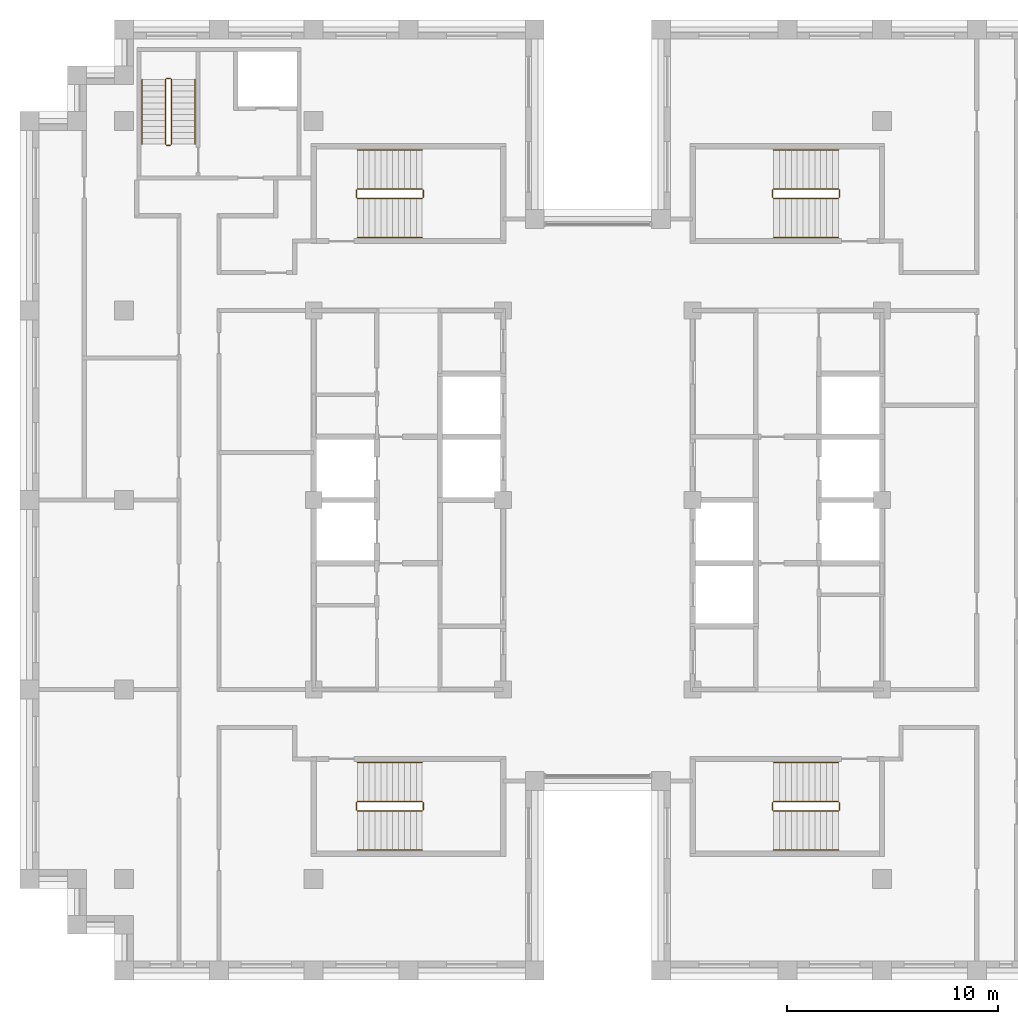
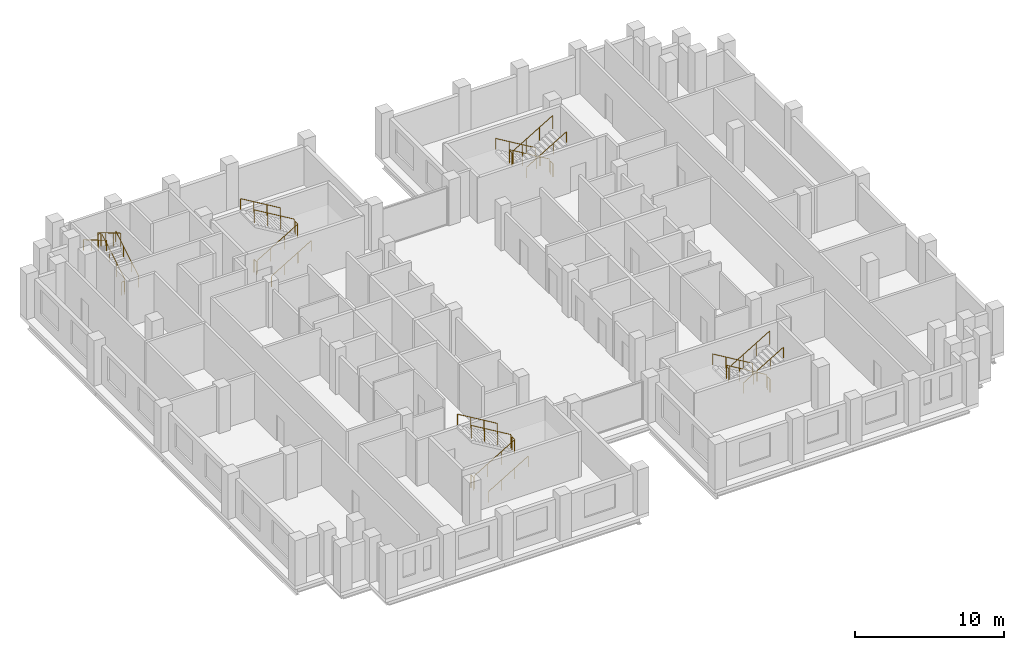
# One storey, part 13 of 13: 5 railings.
"""IFC4 building model written with IfcOpenShell, lengths in metres."""

from ifc_helpers import new_model, si_unit, direction, frame, origin, origin_2d, place, context, subcontext, project, spatial, circle, extrude, material, type_object, element, save


model = new_model("IFC4")

# Units and contexts
model_context = context("Model", 3, precision=1e-05, world=origin(), true_north=direction((0.0, 1.0)))
body_context = subcontext(model_context, "Body", "Model", "MODEL_VIEW")
ifc_project = project(units=[si_unit("LENGTHUNIT", "METRE"), si_unit("AREAUNIT", "SQUARE_METRE"), si_unit("VOLUMEUNIT", "CUBIC_METRE"), si_unit("PLANEANGLEUNIT", "RADIAN"), si_unit("MASSUNIT", "GRAM", prefix="KILO")], contexts=[model_context])

# Site, building, storey
site_placement = place(None, origin())
site = spatial("IfcSite", under=ifc_project, at=site_placement, CompositionType="ELEMENT")
building_placement = place(site_placement, origin())
building = spatial("IfcBuilding", under=site, at=building_placement, Name="Corbelhall Arena Tower", CompositionType="ELEMENT")
storey_placement = place(building_placement, frame((0.0, 0.0, 250.0)))
storey = spatial("IfcBuildingStorey", under=building, at=storey_placement, Name="L53", CompositionType="ELEMENT", Elevation=250.0)

# Railings
ifc_material = material(Name="Steel ASTM A500 Gr C", Category="steel")
railing_type = type_object("IfcRailingType", Name="IN-GD-1100", PredefinedType="GUARDRAIL", material=ifc_material)
railing_1_placement = place(storey_placement, frame((-11.425048828125, 14.324951171875, 0.166748046875)))
element("IfcRailing", 1, at=railing_1_placement, inside=storey, type_object=railing_type, Name="L53 ST1 stair guards and handrails", PredefinedType="GUARDRAIL", context=body_context, shape_type="SweptSolid", body=[
    extrude(circle(Radius=0.02392578125, at=origin_2d()), frame((0.0, 0.0, 1.076171875), z_axis=(0.859308565015, 0.0, 0.511457515432), x_axis=(0.0, 1.0, 0.0)), (0.0, 0.0, 1.0), 3.58447265625),
    extrude(circle(Radius=0.02392578125, at=origin_2d()), frame((3.130126953125, 0.050048828125, 2.9091796875), z_axis=(0.0, 1.0, 0.0), x_axis=(-1.0, 0.0, 0.0)), (0.0, 0.0, 1.0), 0.35009765625),
    extrude(circle(Radius=0.02392578125, at=origin_2d()), frame((3.080078125, 0.449951171875, 3.076171875), z_axis=(-0.859308565015, 0.0, 0.511457515432), x_axis=(0.0, -1.0, 0.0)), (0.0, 0.0, 1.0), 3.58447265625),
    extrude(circle(Radius=0.02392578125, at=origin_2d()), frame((-0.050048828125, 0.050048828125, 0.9091796875), z_axis=(0.0, 1.0, 0.0), x_axis=(-1.0, 0.0, 0.0)), (0.0, 0.0, 1.0), 0.35009765625),
    extrude(circle(Radius=0.02392578125, at=origin_2d()), frame((0.0, -1.849853515625, 0.8759765625), z_axis=(0.859308565015, 0.0, 0.511457515432), x_axis=(0.0, 1.0, 0.0)), (0.0, 0.0, 1.0), 3.58447265625),
    extrude(circle(Radius=0.02392578125, at=origin_2d()), frame((3.080078125, 2.300048828125, 2.8759765625), z_axis=(-0.859308565015, 0.0, 0.511457515432), x_axis=(0.0, -1.0, 0.0)), (0.0, 0.0, 1.0), 3.58447265625),
    extrude(circle(Radius=0.02099609375, at=origin_2d()), origin(), (0.0, 0.0, 1.0), 1.052001953125),
    extrude(circle(Radius=0.02099609375, at=origin_2d()), frame((1.026611328125, 0.0, 0.611083984375)), (0.0, 0.0, 1.0), 1.052001953125),
    extrude(circle(Radius=0.02099609375, at=origin_2d()), frame((2.053466796875, 0.0, 1.22216796875)), (0.0, 0.0, 1.0), 1.052001953125),
    extrude(circle(Radius=0.02099609375, at=origin_2d()), frame((3.080078125, 0.0, 1.833251953125)), (0.0, 0.0, 1.0), 1.052001953125),
    extrude(circle(Radius=0.02099609375, at=origin_2d()), frame((3.130126953125, 0.050048828125, 1.833251953125)), (0.0, 0.0, 1.0), 1.052001953125),
    extrude(circle(Radius=0.02099609375, at=origin_2d()), frame((3.130126953125, 0.400146484375, 1.833251953125)), (0.0, 0.0, 1.0), 1.052001953125),
    extrude(circle(Radius=0.02099609375, at=origin_2d()), frame((3.080078125, 0.449951171875, 2.0)), (0.0, 0.0, 1.0), 1.052001953125),
    extrude(circle(Radius=0.02099609375, at=origin_2d()), frame((2.053466796875, 0.449951171875, 2.611083984375)), (0.0, 0.0, 1.0), 1.052001953125),
    extrude(circle(Radius=0.02099609375, at=origin_2d()), frame((1.026611328125, 0.449951171875, 3.22216796875)), (0.0, 0.0, 1.0), 1.052001953125),
    extrude(circle(Radius=0.02099609375, at=origin_2d()), frame((0.0, 0.449951171875, 3.833251953125)), (0.0, 0.0, 1.0), 1.052001953125),
    extrude(circle(Radius=0.02099609375, at=origin_2d()), frame((-0.050048828125, 0.050048828125, -0.166748046875)), (0.0, 0.0, 1.0), 1.052001953125),
    extrude(circle(Radius=0.02099609375, at=origin_2d()), frame((-0.050048828125, 0.400146484375, -0.166748046875)), (0.0, 0.0, 1.0), 1.052001953125),
    extrude(circle(Radius=0.02099609375, at=origin_2d()), frame((0.0, -1.849853515625, 0.0)), (0.0, 0.0, 1.0), 0.851806640625),
    extrude(circle(Radius=0.02099609375, at=origin_2d()), frame((1.026611328125, -1.849853515625, 0.611083984375)), (0.0, 0.0, 1.0), 0.851806640625),
    extrude(circle(Radius=0.02099609375, at=origin_2d()), frame((2.053466796875, -1.849853515625, 1.22216796875)), (0.0, 0.0, 1.0), 0.851806640625),
    extrude(circle(Radius=0.02099609375, at=origin_2d()), frame((3.080078125, -1.849853515625, 1.833251953125)), (0.0, 0.0, 1.0), 0.851806640625),
    extrude(circle(Radius=0.02099609375, at=origin_2d()), frame((3.080078125, 2.300048828125, 2.0)), (0.0, 0.0, 1.0), 0.851806640625),
    extrude(circle(Radius=0.02099609375, at=origin_2d()), frame((2.053466796875, 2.300048828125, 2.611083984375)), (0.0, 0.0, 1.0), 0.851806640625),
    extrude(circle(Radius=0.02099609375, at=origin_2d()), frame((1.026611328125, 2.300048828125, 3.22216796875)), (0.0, 0.0, 1.0), 0.851806640625),
    extrude(circle(Radius=0.02099609375, at=origin_2d()), frame((0.0, 2.300048828125, 3.833251953125)), (0.0, 0.0, 1.0), 0.851806640625),
])
railing_2_placement = place(storey_placement, frame((-11.425048828125, -14.77490234375, 0.166748046875)))
element("IfcRailing", 2, at=railing_2_placement, inside=storey, type_object=railing_type, Name="L53 ST2 stair guards and handrails", PredefinedType="GUARDRAIL", context=body_context, shape_type="SweptSolid", body=[
    extrude(circle(Radius=0.02392578125, at=origin_2d()), frame((0.0, 0.0, 1.076171875), z_axis=(0.859308565015, 0.0, 0.511457515432), x_axis=(0.0, 1.0, 0.0)), (0.0, 0.0, 1.0), 3.58447265625),
    extrude(circle(Radius=0.02392578125, at=origin_2d()), frame((3.130126953125, 0.0498046875, 2.9091796875), z_axis=(0.0, 1.0, 0.0), x_axis=(-1.0, 0.0, 0.0)), (0.0, 0.0, 1.0), 0.35009765625),
    extrude(circle(Radius=0.02392578125, at=origin_2d()), frame((3.080078125, 0.449951171875, 3.076171875), z_axis=(-0.859308565015, 0.0, 0.511457515432), x_axis=(0.0, -1.0, 0.0)), (0.0, 0.0, 1.0), 3.58447265625),
    extrude(circle(Radius=0.02392578125, at=origin_2d()), frame((-0.050048828125, 0.0498046875, 0.9091796875), z_axis=(0.0, 1.0, 0.0), x_axis=(-1.0, 0.0, 0.0)), (0.0, 0.0, 1.0), 0.35009765625),
    extrude(circle(Radius=0.02392578125, at=origin_2d()), frame((0.0, -1.85009765625, 0.8759765625), z_axis=(0.859308565015, 0.0, 0.511457515432), x_axis=(0.0, 1.0, 0.0)), (0.0, 0.0, 1.0), 3.58447265625),
    extrude(circle(Radius=0.02392578125, at=origin_2d()), frame((3.080078125, 2.2998046875, 2.8759765625), z_axis=(-0.859308565015, 0.0, 0.511457515432), x_axis=(0.0, -1.0, 0.0)), (0.0, 0.0, 1.0), 3.58447265625),
    extrude(circle(Radius=0.02099609375, at=origin_2d()), origin(), (0.0, 0.0, 1.0), 1.052001953125),
    extrude(circle(Radius=0.02099609375, at=origin_2d()), frame((1.026611328125, 0.0, 0.611083984375)), (0.0, 0.0, 1.0), 1.052001953125),
    extrude(circle(Radius=0.02099609375, at=origin_2d()), frame((2.053466796875, 0.0, 1.22216796875)), (0.0, 0.0, 1.0), 1.052001953125),
    extrude(circle(Radius=0.02099609375, at=origin_2d()), frame((3.080078125, 0.0, 1.833251953125)), (0.0, 0.0, 1.0), 1.052001953125),
    extrude(circle(Radius=0.02099609375, at=origin_2d()), frame((3.130126953125, 0.0498046875, 1.833251953125)), (0.0, 0.0, 1.0), 1.052001953125),
    extrude(circle(Radius=0.02099609375, at=origin_2d()), frame((3.130126953125, 0.39990234375, 1.833251953125)), (0.0, 0.0, 1.0), 1.052001953125),
    extrude(circle(Radius=0.02099609375, at=origin_2d()), frame((3.080078125, 0.449951171875, 2.0)), (0.0, 0.0, 1.0), 1.052001953125),
    extrude(circle(Radius=0.02099609375, at=origin_2d()), frame((2.053466796875, 0.449951171875, 2.611083984375)), (0.0, 0.0, 1.0), 1.052001953125),
    extrude(circle(Radius=0.02099609375, at=origin_2d()), frame((1.026611328125, 0.449951171875, 3.22216796875)), (0.0, 0.0, 1.0), 1.052001953125),
    extrude(circle(Radius=0.02099609375, at=origin_2d()), frame((0.0, 0.449951171875, 3.833251953125)), (0.0, 0.0, 1.0), 1.052001953125),
    extrude(circle(Radius=0.02099609375, at=origin_2d()), frame((-0.050048828125, 0.0498046875, -0.166748046875)), (0.0, 0.0, 1.0), 1.052001953125),
    extrude(circle(Radius=0.02099609375, at=origin_2d()), frame((-0.050048828125, 0.39990234375, -0.166748046875)), (0.0, 0.0, 1.0), 1.052001953125),
    extrude(circle(Radius=0.02099609375, at=origin_2d()), frame((0.0, -1.85009765625, 0.0)), (0.0, 0.0, 1.0), 0.851806640625),
    extrude(circle(Radius=0.02099609375, at=origin_2d()), frame((1.026611328125, -1.85009765625, 0.611083984375)), (0.0, 0.0, 1.0), 0.851806640625),
    extrude(circle(Radius=0.02099609375, at=origin_2d()), frame((2.053466796875, -1.85009765625, 1.22216796875)), (0.0, 0.0, 1.0), 0.851806640625),
    extrude(circle(Radius=0.02099609375, at=origin_2d()), frame((3.080078125, -1.85009765625, 1.833251953125)), (0.0, 0.0, 1.0), 0.851806640625),
    extrude(circle(Radius=0.02099609375, at=origin_2d()), frame((3.080078125, 2.2998046875, 2.0)), (0.0, 0.0, 1.0), 0.851806640625),
    extrude(circle(Radius=0.02099609375, at=origin_2d()), frame((2.053466796875, 2.2998046875, 2.611083984375)), (0.0, 0.0, 1.0), 0.851806640625),
    extrude(circle(Radius=0.02099609375, at=origin_2d()), frame((1.026611328125, 2.2998046875, 3.22216796875)), (0.0, 0.0, 1.0), 0.851806640625),
    extrude(circle(Radius=0.02099609375, at=origin_2d()), frame((0.0, 2.2998046875, 3.833251953125)), (0.0, 0.0, 1.0), 0.851806640625),
])
railing_3_placement = place(storey_placement, frame((11.425048828125, 14.77490234375, 0.166748046875)))
element("IfcRailing", 3, at=railing_3_placement, inside=storey, type_object=railing_type, Name="L53 ST3 stair guards and handrails", PredefinedType="GUARDRAIL", context=body_context, shape_type="SweptSolid", body=[
    extrude(circle(Radius=0.02392578125, at=origin_2d()), frame((0.0, 0.0, 1.076171875), z_axis=(-0.859308565015, 0.0, 0.511457515432), x_axis=(0.0, -1.0, 0.0)), (0.0, 0.0, 1.0), 3.58447265625),
    extrude(circle(Radius=0.02392578125, at=origin_2d()), frame((-3.130126953125, -0.0498046875, 2.9091796875), z_axis=(0.0, -1.0, 0.0), x_axis=(1.0, 0.0, 0.0)), (0.0, 0.0, 1.0), 0.35009765625),
    extrude(circle(Radius=0.02392578125, at=origin_2d()), frame((-3.080078125, -0.449951171875, 3.076171875), z_axis=(0.859308565015, 0.0, 0.511457515432), x_axis=(0.0, 1.0, 0.0)), (0.0, 0.0, 1.0), 3.58447265625),
    extrude(circle(Radius=0.02392578125, at=origin_2d()), frame((0.050048828125, -0.0498046875, 0.9091796875), z_axis=(0.0, -1.0, 0.0), x_axis=(1.0, 0.0, 0.0)), (0.0, 0.0, 1.0), 0.35009765625),
    extrude(circle(Radius=0.02392578125, at=origin_2d()), frame((0.0, 1.85009765625, 0.8759765625), z_axis=(-0.859308565015, 0.0, 0.511457515432), x_axis=(0.0, -1.0, 0.0)), (0.0, 0.0, 1.0), 3.58447265625),
    extrude(circle(Radius=0.02392578125, at=origin_2d()), frame((-3.080078125, -2.2998046875, 2.8759765625), z_axis=(0.859308565015, 0.0, 0.511457515432), x_axis=(0.0, 1.0, 0.0)), (0.0, 0.0, 1.0), 3.58447265625),
    extrude(circle(Radius=0.02099609375, at=origin_2d()), origin(), (0.0, 0.0, 1.0), 1.052001953125),
    extrude(circle(Radius=0.02099609375, at=origin_2d()), frame((-1.026611328125, 0.0, 0.611083984375)), (0.0, 0.0, 1.0), 1.052001953125),
    extrude(circle(Radius=0.02099609375, at=origin_2d()), frame((-2.053466796875, 0.0, 1.22216796875)), (0.0, 0.0, 1.0), 1.052001953125),
    extrude(circle(Radius=0.02099609375, at=origin_2d()), frame((-3.080078125, 0.0, 1.833251953125)), (0.0, 0.0, 1.0), 1.052001953125),
    extrude(circle(Radius=0.02099609375, at=origin_2d()), frame((-3.130126953125, -0.0498046875, 1.833251953125)), (0.0, 0.0, 1.0), 1.052001953125),
    extrude(circle(Radius=0.02099609375, at=origin_2d()), frame((-3.130126953125, -0.39990234375, 1.833251953125)), (0.0, 0.0, 1.0), 1.052001953125),
    extrude(circle(Radius=0.02099609375, at=origin_2d()), frame((-3.080078125, -0.449951171875, 2.0)), (0.0, 0.0, 1.0), 1.052001953125),
    extrude(circle(Radius=0.02099609375, at=origin_2d()), frame((-2.053466796875, -0.449951171875, 2.611083984375)), (0.0, 0.0, 1.0), 1.052001953125),
    extrude(circle(Radius=0.02099609375, at=origin_2d()), frame((-1.026611328125, -0.449951171875, 3.22216796875)), (0.0, 0.0, 1.0), 1.052001953125),
    extrude(circle(Radius=0.02099609375, at=origin_2d()), frame((0.0, -0.449951171875, 3.833251953125)), (0.0, 0.0, 1.0), 1.052001953125),
    extrude(circle(Radius=0.02099609375, at=origin_2d()), frame((0.050048828125, -0.0498046875, -0.166748046875)), (0.0, 0.0, 1.0), 1.052001953125),
    extrude(circle(Radius=0.02099609375, at=origin_2d()), frame((0.050048828125, -0.39990234375, -0.166748046875)), (0.0, 0.0, 1.0), 1.052001953125),
    extrude(circle(Radius=0.02099609375, at=origin_2d()), frame((0.0, 1.85009765625, 0.0)), (0.0, 0.0, 1.0), 0.851806640625),
    extrude(circle(Radius=0.02099609375, at=origin_2d()), frame((-1.026611328125, 1.85009765625, 0.611083984375)), (0.0, 0.0, 1.0), 0.851806640625),
    extrude(circle(Radius=0.02099609375, at=origin_2d()), frame((-2.053466796875, 1.85009765625, 1.22216796875)), (0.0, 0.0, 1.0), 0.851806640625),
    extrude(circle(Radius=0.02099609375, at=origin_2d()), frame((-3.080078125, 1.85009765625, 1.833251953125)), (0.0, 0.0, 1.0), 0.851806640625),
    extrude(circle(Radius=0.02099609375, at=origin_2d()), frame((-3.080078125, -2.2998046875, 2.0)), (0.0, 0.0, 1.0), 0.851806640625),
    extrude(circle(Radius=0.02099609375, at=origin_2d()), frame((-2.053466796875, -2.2998046875, 2.611083984375)), (0.0, 0.0, 1.0), 0.851806640625),
    extrude(circle(Radius=0.02099609375, at=origin_2d()), frame((-1.026611328125, -2.2998046875, 3.22216796875)), (0.0, 0.0, 1.0), 0.851806640625),
    extrude(circle(Radius=0.02099609375, at=origin_2d()), frame((0.0, -2.2998046875, 3.833251953125)), (0.0, 0.0, 1.0), 0.851806640625),
])
railing_4_placement = place(storey_placement, frame((11.425048828125, -14.324951171875, 0.166748046875)))
element("IfcRailing", 4, at=railing_4_placement, inside=storey, type_object=railing_type, Name="L53 ST4 stair guards and handrails", PredefinedType="GUARDRAIL", context=body_context, shape_type="SweptSolid", body=[
    extrude(circle(Radius=0.02392578125, at=origin_2d()), frame((0.0, 0.0, 1.076171875), z_axis=(-0.859308565015, 0.0, 0.511457515432), x_axis=(0.0, -1.0, 0.0)), (0.0, 0.0, 1.0), 3.58447265625),
    extrude(circle(Radius=0.02392578125, at=origin_2d()), frame((-3.130126953125, -0.050048828125, 2.9091796875), z_axis=(0.0, -1.0, 0.0), x_axis=(1.0, 0.0, 0.0)), (0.0, 0.0, 1.0), 0.35009765625),
    extrude(circle(Radius=0.02392578125, at=origin_2d()), frame((-3.080078125, -0.449951171875, 3.076171875), z_axis=(0.859308565015, 0.0, 0.511457515432), x_axis=(0.0, 1.0, 0.0)), (0.0, 0.0, 1.0), 3.58447265625),
    extrude(circle(Radius=0.02392578125, at=origin_2d()), frame((0.050048828125, -0.050048828125, 0.9091796875), z_axis=(0.0, -1.0, 0.0), x_axis=(1.0, 0.0, 0.0)), (0.0, 0.0, 1.0), 0.35009765625),
    extrude(circle(Radius=0.02392578125, at=origin_2d()), frame((0.0, 1.849853515625, 0.8759765625), z_axis=(-0.859308565015, 0.0, 0.511457515432), x_axis=(0.0, -1.0, 0.0)), (0.0, 0.0, 1.0), 3.58447265625),
    extrude(circle(Radius=0.02392578125, at=origin_2d()), frame((-3.080078125, -2.300048828125, 2.8759765625), z_axis=(0.859308565015, 0.0, 0.511457515432), x_axis=(0.0, 1.0, 0.0)), (0.0, 0.0, 1.0), 3.58447265625),
    extrude(circle(Radius=0.02099609375, at=origin_2d()), origin(), (0.0, 0.0, 1.0), 1.052001953125),
    extrude(circle(Radius=0.02099609375, at=origin_2d()), frame((-1.026611328125, 0.0, 0.611083984375)), (0.0, 0.0, 1.0), 1.052001953125),
    extrude(circle(Radius=0.02099609375, at=origin_2d()), frame((-2.053466796875, 0.0, 1.22216796875)), (0.0, 0.0, 1.0), 1.052001953125),
    extrude(circle(Radius=0.02099609375, at=origin_2d()), frame((-3.080078125, 0.0, 1.833251953125)), (0.0, 0.0, 1.0), 1.052001953125),
    extrude(circle(Radius=0.02099609375, at=origin_2d()), frame((-3.130126953125, -0.050048828125, 1.833251953125)), (0.0, 0.0, 1.0), 1.052001953125),
    extrude(circle(Radius=0.02099609375, at=origin_2d()), frame((-3.130126953125, -0.400146484375, 1.833251953125)), (0.0, 0.0, 1.0), 1.052001953125),
    extrude(circle(Radius=0.02099609375, at=origin_2d()), frame((-3.080078125, -0.449951171875, 2.0)), (0.0, 0.0, 1.0), 1.052001953125),
    extrude(circle(Radius=0.02099609375, at=origin_2d()), frame((-2.053466796875, -0.449951171875, 2.611083984375)), (0.0, 0.0, 1.0), 1.052001953125),
    extrude(circle(Radius=0.02099609375, at=origin_2d()), frame((-1.026611328125, -0.449951171875, 3.22216796875)), (0.0, 0.0, 1.0), 1.052001953125),
    extrude(circle(Radius=0.02099609375, at=origin_2d()), frame((0.0, -0.449951171875, 3.833251953125)), (0.0, 0.0, 1.0), 1.052001953125),
    extrude(circle(Radius=0.02099609375, at=origin_2d()), frame((0.050048828125, -0.050048828125, -0.166748046875)), (0.0, 0.0, 1.0), 1.052001953125),
    extrude(circle(Radius=0.02099609375, at=origin_2d()), frame((0.050048828125, -0.400146484375, -0.166748046875)), (0.0, 0.0, 1.0), 1.052001953125),
    extrude(circle(Radius=0.02099609375, at=origin_2d()), frame((0.0, 1.849853515625, 0.0)), (0.0, 0.0, 1.0), 0.851806640625),
    extrude(circle(Radius=0.02099609375, at=origin_2d()), frame((-1.026611328125, 1.849853515625, 0.611083984375)), (0.0, 0.0, 1.0), 0.851806640625),
    extrude(circle(Radius=0.02099609375, at=origin_2d()), frame((-2.053466796875, 1.849853515625, 1.22216796875)), (0.0, 0.0, 1.0), 0.851806640625),
    extrude(circle(Radius=0.02099609375, at=origin_2d()), frame((-3.080078125, 1.849853515625, 1.833251953125)), (0.0, 0.0, 1.0), 0.851806640625),
    extrude(circle(Radius=0.02099609375, at=origin_2d()), frame((-3.080078125, -2.300048828125, 2.0)), (0.0, 0.0, 1.0), 0.851806640625),
    extrude(circle(Radius=0.02099609375, at=origin_2d()), frame((-2.053466796875, -2.300048828125, 2.611083984375)), (0.0, 0.0, 1.0), 0.851806640625),
    extrude(circle(Radius=0.02099609375, at=origin_2d()), frame((-1.026611328125, -2.300048828125, 3.22216796875)), (0.0, 0.0, 1.0), 0.851806640625),
    extrude(circle(Radius=0.02099609375, at=origin_2d()), frame((0.0, -2.300048828125, 3.833251953125)), (0.0, 0.0, 1.0), 0.851806640625),
])
railing_5_placement = place(storey_placement, frame((-20.2451171875, 16.89990234375, 0.166748046875)))
element("IfcRailing", 5, at=railing_5_placement, inside=storey, type_object=railing_type, Name="L53 ST5 stair guards and handrails", PredefinedType="GUARDRAIL", context=body_context, shape_type="SweptSolid", body=[
    extrude(circle(Radius=0.02392578125, at=origin_2d()), frame((0.0, 0.0, 1.076171875), z_axis=(0.0, 0.859308565015, 0.511457515432), x_axis=(-1.0, 0.0, 0.0)), (0.0, 0.0, 1.0), 3.58447265625),
    extrude(circle(Radius=0.02392578125, at=origin_2d()), frame((-0.0498046875, 3.130126953125, 2.9091796875), z_axis=(-1.0, 0.0, 0.0), x_axis=(0.0, -1.0, 0.0)), (0.0, 0.0, 1.0), 0.2001953125),
    extrude(circle(Radius=0.02392578125, at=origin_2d()), frame((-0.2998046875, 3.080078125, 3.076171875), z_axis=(0.0, -0.859308565015, 0.511457515432), x_axis=(1.0, 0.0, 0.0)), (0.0, 0.0, 1.0), 3.58447265625),
    extrude(circle(Radius=0.02392578125, at=origin_2d()), frame((-0.0498046875, -0.0498046875, 0.9091796875), z_axis=(-1.0, 0.0, 0.0), x_axis=(0.0, -1.0, 0.0)), (0.0, 0.0, 1.0), 0.2001953125),
    extrude(circle(Radius=0.02392578125, at=origin_2d()), frame((1.10009765625, 0.0, 0.8759765625), z_axis=(0.0, 0.859308565015, 0.511457515432), x_axis=(-1.0, 0.0, 0.0)), (0.0, 0.0, 1.0), 3.58447265625),
    extrude(circle(Radius=0.02392578125, at=origin_2d()), frame((-1.39990234375, 3.080078125, 2.8759765625), z_axis=(0.0, -0.859308565015, 0.511457515432), x_axis=(1.0, 0.0, 0.0)), (0.0, 0.0, 1.0), 3.58447265625),
    extrude(circle(Radius=0.02099609375, at=origin_2d()), origin(), (0.0, 0.0, 1.0), 1.052001953125),
    extrude(circle(Radius=0.02099609375, at=origin_2d()), frame((0.0, 1.026611328125, 0.611083984375)), (0.0, 0.0, 1.0), 1.052001953125),
    extrude(circle(Radius=0.02099609375, at=origin_2d()), frame((0.0, 2.053466796875, 1.22216796875)), (0.0, 0.0, 1.0), 1.052001953125),
    extrude(circle(Radius=0.02099609375, at=origin_2d()), frame((0.0, 3.080078125, 1.833251953125)), (0.0, 0.0, 1.0), 1.052001953125),
    extrude(circle(Radius=0.02099609375, at=origin_2d()), frame((-0.0498046875, 3.130126953125, 1.833251953125)), (0.0, 0.0, 1.0), 1.052001953125),
    extrude(circle(Radius=0.02099609375, at=origin_2d()), frame((-0.25, 3.130126953125, 1.833251953125)), (0.0, 0.0, 1.0), 1.052001953125),
    extrude(circle(Radius=0.02099609375, at=origin_2d()), frame((-0.2998046875, 3.080078125, 2.0)), (0.0, 0.0, 1.0), 1.052001953125),
    extrude(circle(Radius=0.02099609375, at=origin_2d()), frame((-0.2998046875, 2.053466796875, 2.611083984375)), (0.0, 0.0, 1.0), 1.052001953125),
    extrude(circle(Radius=0.02099609375, at=origin_2d()), frame((-0.2998046875, 1.026611328125, 3.22216796875)), (0.0, 0.0, 1.0), 1.052001953125),
    extrude(circle(Radius=0.02099609375, at=origin_2d()), frame((-0.2998046875, 0.0, 3.833251953125)), (0.0, 0.0, 1.0), 1.052001953125),
    extrude(circle(Radius=0.02099609375, at=origin_2d()), frame((-0.0498046875, -0.0498046875, -0.166748046875)), (0.0, 0.0, 1.0), 1.052001953125),
    extrude(circle(Radius=0.02099609375, at=origin_2d()), frame((-0.25, -0.0498046875, -0.166748046875)), (0.0, 0.0, 1.0), 1.052001953125),
    extrude(circle(Radius=0.02099609375, at=origin_2d()), frame((1.10009765625, 0.0, 0.0)), (0.0, 0.0, 1.0), 0.851806640625),
    extrude(circle(Radius=0.02099609375, at=origin_2d()), frame((1.10009765625, 1.026611328125, 0.611083984375)), (0.0, 0.0, 1.0), 0.851806640625),
    extrude(circle(Radius=0.02099609375, at=origin_2d()), frame((1.10009765625, 2.053466796875, 1.22216796875)), (0.0, 0.0, 1.0), 0.851806640625),
    extrude(circle(Radius=0.02099609375, at=origin_2d()), frame((1.10009765625, 3.080078125, 1.833251953125)), (0.0, 0.0, 1.0), 0.851806640625),
    extrude(circle(Radius=0.02099609375, at=origin_2d()), frame((-1.39990234375, 3.080078125, 2.0)), (0.0, 0.0, 1.0), 0.851806640625),
    extrude(circle(Radius=0.02099609375, at=origin_2d()), frame((-1.39990234375, 2.053466796875, 2.611083984375)), (0.0, 0.0, 1.0), 0.851806640625),
    extrude(circle(Radius=0.02099609375, at=origin_2d()), frame((-1.39990234375, 1.026611328125, 3.22216796875)), (0.0, 0.0, 1.0), 0.851806640625),
    extrude(circle(Radius=0.02099609375, at=origin_2d()), frame((-1.39990234375, 0.0, 3.833251953125)), (0.0, 0.0, 1.0), 0.851806640625),
])

save(model, "model.ifc")
